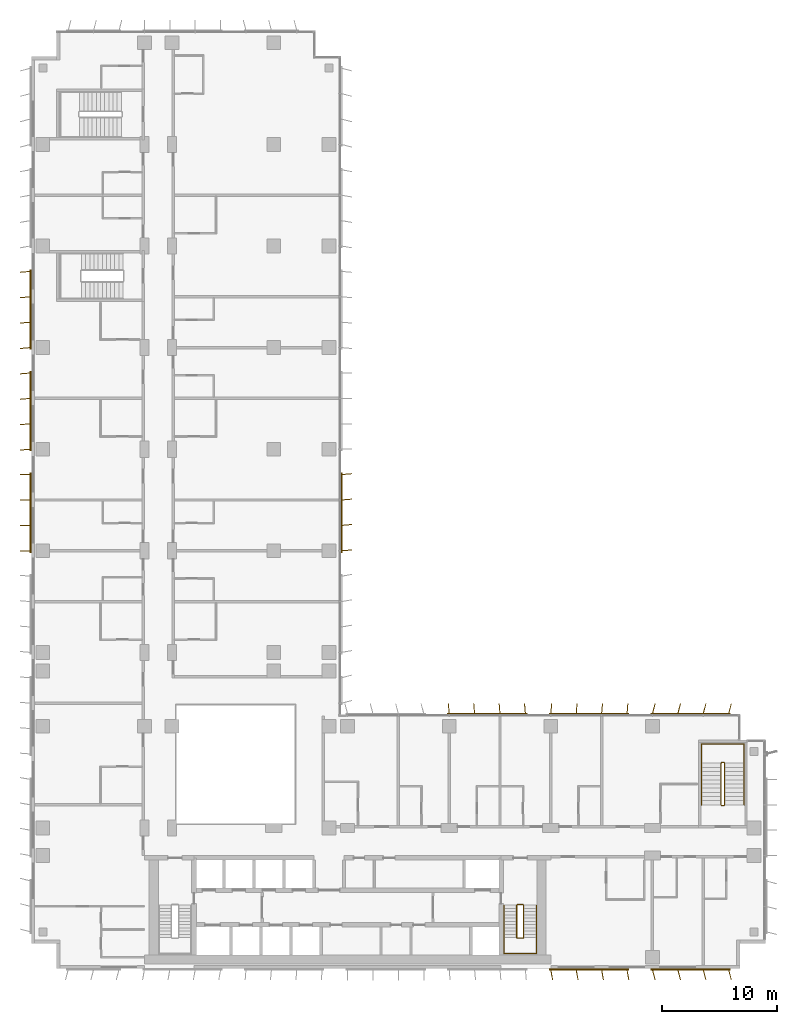
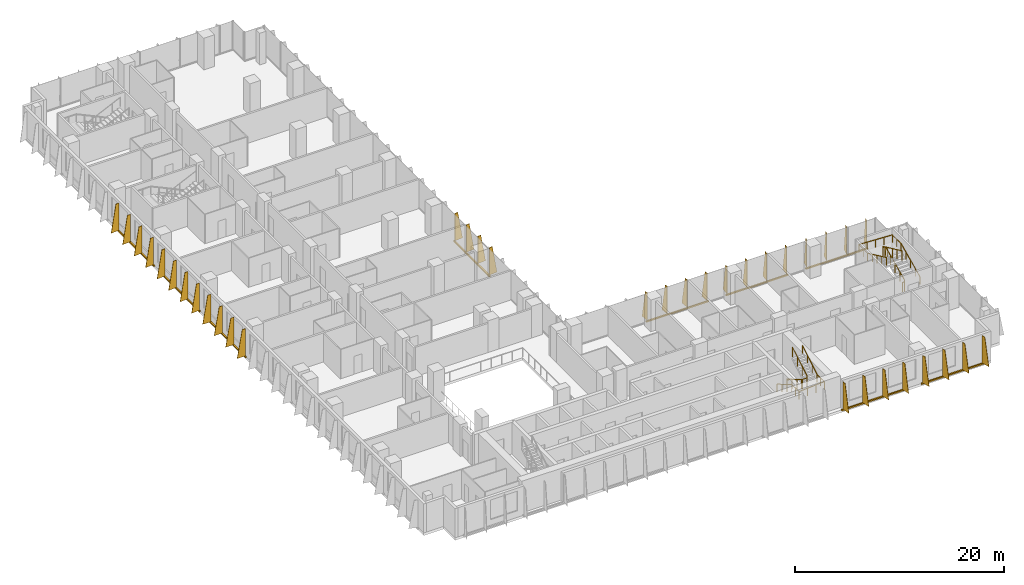
# One storey, part 21 of 23: 9 shading devices, 4 railings.
"""IFC4 building model written with IfcOpenShell, lengths in metres."""

from ifc_helpers import new_model, si_unit, direction, frame, origin, origin_2d, place, context, subcontext, project, spatial, polyline, rectangle, circle, outline, extrude, source, transform, mapped, material, layer, layer_set, type_object, element, save


model = new_model("IFC4")

# Units and contexts
model_context = context("Model", 3, precision=1e-05, world=origin(), true_north=direction((0.0, 1.0)))
body_context = subcontext(model_context, "Body", "Model", "MODEL_VIEW")
ifc_project = project(units=[si_unit("LENGTHUNIT", "METRE"), si_unit("AREAUNIT", "SQUARE_METRE"), si_unit("VOLUMEUNIT", "CUBIC_METRE"), si_unit("PLANEANGLEUNIT", "RADIAN"), si_unit("MASSUNIT", "GRAM", prefix="KILO")], contexts=[model_context])

# Site, building, storey
site_placement = place(None, origin())
site = spatial("IfcSite", under=ifc_project, at=site_placement, CompositionType="ELEMENT")
building_placement = place(site_placement, origin())
building = spatial("IfcBuilding", under=site, at=building_placement, Name="Kemantara Hotel Tower", CompositionType="ELEMENT")
storey_placement = place(building_placement, frame((0.0, 0.0, 142.0)))
storey = spatial("IfcBuildingStorey", under=building, at=storey_placement, Name="L34", CompositionType="ELEMENT", Elevation=142.0)

# Railings
ifc_material_1 = material(Name="Stainless steel balustrade", Category="steel")
railing_type_1 = type_object("IfcRailingType", Name="Stair guard 1100 mm", PredefinedType="GUARDRAIL", material=ifc_material_1)
railing_1_placement = place(storey_placement, frame((42.64990234375, 5.5, 3.699951171875)))
element("IfcRailing", 1, at=railing_1_placement, inside=storey, type_object=railing_type_1, Name="L34 ST2 stair guard 1", PredefinedType="GUARDRAIL", context=body_context, shape_type="SweptSolid", body=[
    extrude(circle(Radius=0.02392578125, at=origin_2d()), frame((0.0, 0.0, 1.076171875), z_axis=(0.0, -0.857242210791, -0.514913383045), x_axis=(1.0, 0.0, 0.0)), (0.0, 0.0, 1.0), 3.266357421875),
    extrude(circle(Radius=0.02392578125, at=origin_2d()), frame((0.0, -2.800048828125, -0.60595703125), z_axis=(-0.273343290215, -0.274683208305, -0.921863645432), x_axis=(0.708833529934, -0.705375805398, 0.0)), (0.0, 0.0, 1.0), 0.18212890625),
    extrude(circle(Radius=0.02392578125, at=origin_2d()), frame((-0.0498046875, -2.85009765625, -0.77392578125), z_axis=(-1.0, 0.0, 0.0), x_axis=(0.0, -1.0, 0.0)), (0.0, 0.0, 1.0), 0.5),
    extrude(circle(Radius=0.02392578125, at=origin_2d()), frame((-0.5498046875, -2.85009765625, -0.77392578125), z_axis=(-0.707106781187, 0.707106781187, 0.0), x_axis=(-0.707106781187, -0.707106781187, 0.0)), (0.0, 0.0, 1.0), 0.07080078125),
    extrude(circle(Radius=0.02392578125, at=origin_2d()), frame((-0.599853515625, -2.800048828125, -0.77392578125), z_axis=(0.0, 0.857242210791, -0.514913383045), x_axis=(-1.0, 0.0, 0.0)), (0.0, 0.0, 1.0), 3.266357421875),
    extrude(circle(Radius=0.02392578125, at=origin_2d()), frame((-0.599853515625, 0.0, -2.45556640625), z_axis=(0.274243871929, 0.274243871929, -0.92172696468), x_axis=(-0.707106781187, 0.707106781187, 0.0)), (0.0, 0.0, 1.0), 0.1826171875),
    extrude(circle(Radius=0.02392578125, at=origin_2d()), frame((-0.5498046875, 0.050048828125, -2.6240234375), z_axis=(1.0, 0.0, 0.0), x_axis=(0.0, 1.0, 0.0)), (0.0, 0.0, 1.0), 0.5),
    extrude(circle(Radius=0.02099609375, at=origin_2d()), origin(), (0.0, 0.0, 1.0), 1.052001953125),
    extrude(circle(Radius=0.02099609375, at=origin_2d()), frame((0.0, -0.933349609375, -0.560546875)), (0.0, 0.0, 1.0), 1.052001953125),
    extrude(circle(Radius=0.02099609375, at=origin_2d()), frame((0.0, -1.86669921875, -1.121337890625)), (0.0, 0.0, 1.0), 1.052001953125),
    extrude(circle(Radius=0.02099609375, at=origin_2d()), frame((0.0, -2.800048828125, -1.681884765625)), (0.0, 0.0, 1.0), 1.052001953125),
    extrude(circle(Radius=0.02099609375, at=origin_2d()), frame((-0.0498046875, -2.85009765625, -1.849853515625)), (0.0, 0.0, 1.0), 1.052001953125),
    extrude(circle(Radius=0.02099609375, at=origin_2d()), frame((-0.5498046875, -2.85009765625, -1.849853515625)), (0.0, 0.0, 1.0), 1.052001953125),
    extrude(circle(Radius=0.02099609375, at=origin_2d()), frame((-0.599853515625, -2.800048828125, -1.849853515625)), (0.0, 0.0, 1.0), 1.052001953125),
    extrude(circle(Radius=0.02099609375, at=origin_2d()), frame((-0.599853515625, -1.86669921875, -2.410400390625)), (0.0, 0.0, 1.0), 1.052001953125),
    extrude(circle(Radius=0.02099609375, at=origin_2d()), frame((-0.599853515625, -0.933349609375, -2.97119140625)), (0.0, 0.0, 1.0), 1.052001953125),
    extrude(circle(Radius=0.02099609375, at=origin_2d()), frame((-0.599853515625, 0.0, -3.53173828125)), (0.0, 0.0, 1.0), 1.052001953125),
    extrude(circle(Radius=0.02099609375, at=origin_2d()), frame((-0.5498046875, 0.050048828125, -3.699951171875)), (0.0, 0.0, 1.0), 1.052001953125),
    extrude(circle(Radius=0.02099609375, at=origin_2d()), frame((-0.0498046875, 0.050048828125, -3.699951171875)), (0.0, 0.0, 1.0), 1.052001953125),
])
railing_2_placement = place(storey_placement, frame((59.75, 14.199951171875, 3.699951171875)))
element("IfcRailing", 2, at=railing_2_placement, inside=storey, type_object=railing_type_1, Name="L34 ST3 stair guard 1", PredefinedType="GUARDRAIL", context=body_context, shape_type="SweptSolid", body=[
    extrude(circle(Radius=0.02392578125, at=origin_2d()), frame((0.0, 0.0, 1.076171875), z_axis=(0.0, 0.906005689286, -0.423265508849), x_axis=(-1.0, 0.0, 0.0)), (0.0, 0.0, 1.0), 3.9736328125),
    extrude(circle(Radius=0.02392578125, at=origin_2d()), frame((0.0, 3.60009765625, -0.60595703125), z_axis=(0.274582412415, 0.274582412415, -0.921525364591), x_axis=(-0.707106781187, 0.707106781187, 0.0)), (0.0, 0.0, 1.0), 0.182373046875),
    extrude(circle(Radius=0.02392578125, at=origin_2d()), frame((0.050048828125, 3.650146484375, -0.77392578125), z_axis=(1.0, 0.0, 0.0), x_axis=(0.0, 1.0, 0.0)), (0.0, 0.0, 1.0), 0.199951171875),
    extrude(circle(Radius=0.02392578125, at=origin_2d()), frame((0.25, 3.650146484375, -0.77392578125), z_axis=(0.707106781187, -0.707106781187, 0.0), x_axis=(0.707106781187, 0.707106781187, 0.0)), (0.0, 0.0, 1.0), 0.07080078125),
    extrude(circle(Radius=0.02392578125, at=origin_2d()), frame((0.300048828125, 3.60009765625, -0.77392578125), z_axis=(0.0, -0.906005689286, -0.423265508849), x_axis=(1.0, 0.0, 0.0)), (0.0, 0.0, 1.0), 3.9736328125),
    extrude(circle(Radius=0.02392578125, at=origin_2d()), frame((0.300048828125, 0.0, -2.45556640625), z_axis=(-0.274243871929, -0.274243871929, -0.92172696468), x_axis=(0.707106781187, -0.707106781187, 0.0)), (0.0, 0.0, 1.0), 0.1826171875),
    extrude(circle(Radius=0.02392578125, at=origin_2d()), frame((0.25, -0.050048828125, -2.6240234375), z_axis=(-1.0, 0.0, 0.0), x_axis=(0.0, -1.0, 0.0)), (0.0, 0.0, 1.0), 0.199951171875),
    extrude(circle(Radius=0.02099609375, at=origin_2d()), origin(), (0.0, 0.0, 1.0), 1.052001953125),
    extrude(circle(Radius=0.02099609375, at=origin_2d()), frame((0.0, 0.89990234375, -0.42041015625)), (0.0, 0.0, 1.0), 1.052001953125),
    extrude(circle(Radius=0.02099609375, at=origin_2d()), frame((0.0, 1.800048828125, -0.8408203125)), (0.0, 0.0, 1.0), 1.052001953125),
    extrude(circle(Radius=0.02099609375, at=origin_2d()), frame((0.0, 2.7001953125, -1.261474609375)), (0.0, 0.0, 1.0), 1.052001953125),
    extrude(circle(Radius=0.02099609375, at=origin_2d()), frame((0.0, 3.60009765625, -1.681884765625)), (0.0, 0.0, 1.0), 1.052001953125),
    extrude(circle(Radius=0.02099609375, at=origin_2d()), frame((0.050048828125, 3.650146484375, -1.849853515625)), (0.0, 0.0, 1.0), 1.052001953125),
    extrude(circle(Radius=0.02099609375, at=origin_2d()), frame((0.25, 3.650146484375, -1.849853515625)), (0.0, 0.0, 1.0), 1.052001953125),
    extrude(circle(Radius=0.02099609375, at=origin_2d()), frame((0.300048828125, 3.60009765625, -1.849853515625)), (0.0, 0.0, 1.0), 1.052001953125),
    extrude(circle(Radius=0.02099609375, at=origin_2d()), frame((0.300048828125, 2.7001953125, -2.270263671875)), (0.0, 0.0, 1.0), 1.052001953125),
    extrude(circle(Radius=0.02099609375, at=origin_2d()), frame((0.300048828125, 1.800048828125, -2.69091796875)), (0.0, 0.0, 1.0), 1.052001953125),
    extrude(circle(Radius=0.02099609375, at=origin_2d()), frame((0.300048828125, 0.89990234375, -3.111328125)), (0.0, 0.0, 1.0), 1.052001953125),
    extrude(circle(Radius=0.02099609375, at=origin_2d()), frame((0.300048828125, 0.0, -3.53173828125)), (0.0, 0.0, 1.0), 1.052001953125),
    extrude(circle(Radius=0.02099609375, at=origin_2d()), frame((0.25, -0.050048828125, -3.699951171875)), (0.0, 0.0, 1.0), 1.052001953125),
    extrude(circle(Radius=0.02099609375, at=origin_2d()), frame((0.050048828125, -0.050048828125, -3.699951171875)), (0.0, 0.0, 1.0), 1.052001953125),
])
railing_type_2 = type_object("IfcRailingType", Name="Stair handrail 900 mm", PredefinedType="HANDRAIL", material=ifc_material_1)
railing_3_placement = place(storey_placement, frame((40.949951171875, 5.5, 0.168212890625)))
element("IfcRailing", 3, at=railing_3_placement, inside=storey, type_object=railing_type_2, Name="L34 ST2 stair handrail 1", PredefinedType="HANDRAIL", context=body_context, shape_type="SweptSolid", body=[
    extrude(circle(Radius=0.02392578125, at=origin_2d()), frame((0.0, 0.0, 0.8759765625), z_axis=(0.0, -0.857242210791, 0.514913383045), x_axis=(1.0, 0.0, 0.0)), (0.0, 0.0, 1.0), 3.266357421875),
    extrude(circle(Radius=0.02392578125, at=origin_2d()), frame((0.0, -2.800048828125, 2.5576171875), z_axis=(0.0, -1.0, 0.0), x_axis=(1.0, 0.0, 0.0)), (0.0, 0.0, 1.0), 1.3798828125),
    extrude(circle(Radius=0.02392578125, at=origin_2d()), frame((0.0, -4.179931640625, 2.5576171875), z_axis=(0.998205573864, 0.0, 0.059880149518), x_axis=(0.0, 1.0, 0.0)), (0.0, 0.0, 1.0), 2.80517578125),
    extrude(circle(Radius=0.02392578125, at=origin_2d()), frame((2.800048828125, -4.179931640625, 2.7255859375), z_axis=(0.0, 1.0, 0.0), x_axis=(-1.0, 0.0, 0.0)), (0.0, 0.0, 1.0), 1.3798828125),
    extrude(circle(Radius=0.02392578125, at=origin_2d()), frame((2.800048828125, -2.800048828125, 2.7255859375), z_axis=(0.0, 0.857242210791, 0.514913383045), x_axis=(-1.0, 0.0, 0.0)), (0.0, 0.0, 1.0), 3.266357421875),
    extrude(circle(Radius=0.02099609375, at=origin_2d()), origin(), (0.0, 0.0, 1.0), 0.851806640625),
    extrude(circle(Radius=0.02099609375, at=origin_2d()), frame((0.0, -0.933349609375, 0.560546875)), (0.0, 0.0, 1.0), 0.851806640625),
    extrude(circle(Radius=0.02099609375, at=origin_2d()), frame((0.0, -1.86669921875, 1.121337890625)), (0.0, 0.0, 1.0), 0.851806640625),
    extrude(circle(Radius=0.02099609375, at=origin_2d()), frame((0.0, -2.800048828125, 1.681884765625)), (0.0, 0.0, 1.0), 0.851806640625),
    extrude(circle(Radius=0.02099609375, at=origin_2d()), frame((0.0, -3.489990234375, 1.681884765625)), (0.0, 0.0, 1.0), 0.851806640625),
    extrude(circle(Radius=0.02099609375, at=origin_2d()), frame((0.0, -4.179931640625, 1.681884765625)), (0.0, 0.0, 1.0), 0.851806640625),
    extrude(circle(Radius=0.02099609375, at=origin_2d()), frame((0.933349609375, -4.179931640625, 1.73779296875)), (0.0, 0.0, 1.0), 0.851806640625),
    extrude(circle(Radius=0.02099609375, at=origin_2d()), frame((1.86669921875, -4.179931640625, 1.7939453125)), (0.0, 0.0, 1.0), 0.851806640625),
    extrude(circle(Radius=0.02099609375, at=origin_2d()), frame((2.800048828125, -4.179931640625, 1.849853515625)), (0.0, 0.0, 1.0), 0.851806640625),
    extrude(circle(Radius=0.02099609375, at=origin_2d()), frame((2.800048828125, -3.489990234375, 1.849853515625)), (0.0, 0.0, 1.0), 0.851806640625),
    extrude(circle(Radius=0.02099609375, at=origin_2d()), frame((2.800048828125, -2.800048828125, 1.849853515625)), (0.0, 0.0, 1.0), 0.851806640625),
    extrude(circle(Radius=0.02099609375, at=origin_2d()), frame((2.800048828125, -1.86669921875, 2.410400390625)), (0.0, 0.0, 1.0), 0.851806640625),
    extrude(circle(Radius=0.02099609375, at=origin_2d()), frame((2.800048828125, -0.933349609375, 2.97119140625)), (0.0, 0.0, 1.0), 0.851806640625),
    extrude(circle(Radius=0.02099609375, at=origin_2d()), frame((2.800048828125, 0.0, 3.53173828125)), (0.0, 0.0, 1.0), 0.851806640625),
])
railing_4_placement = place(storey_placement, frame((61.75, 14.199951171875, 0.168212890625)))
element("IfcRailing", 4, at=railing_4_placement, inside=storey, type_object=railing_type_2, Name="L34 ST3 stair handrail 1", PredefinedType="HANDRAIL", context=body_context, shape_type="SweptSolid", body=[
    extrude(circle(Radius=0.02392578125, at=origin_2d()), frame((0.0, 0.0, 0.8759765625), z_axis=(0.0, 0.906005689286, 0.423265508849), x_axis=(-1.0, 0.0, 0.0)), (0.0, 0.0, 1.0), 3.9736328125),
    extrude(circle(Radius=0.02392578125, at=origin_2d()), frame((0.0, 3.60009765625, 2.5576171875), z_axis=(0.0, 1.0, 0.0), x_axis=(-1.0, 0.0, 0.0)), (0.0, 0.0, 1.0), 1.679931640625),
    extrude(circle(Radius=0.02392578125, at=origin_2d()), frame((0.0, 5.280029296875, 2.5576171875), z_axis=(-0.998971120908, 0.0, 0.045350849963), x_axis=(0.0, -1.0, 0.0)), (0.0, 0.0, 1.0), 3.703857421875),
    extrude(circle(Radius=0.02392578125, at=origin_2d()), frame((-3.699951171875, 5.280029296875, 2.7255859375), z_axis=(0.0, -1.0, 0.0), x_axis=(1.0, 0.0, 0.0)), (0.0, 0.0, 1.0), 1.679931640625),
    extrude(circle(Radius=0.02392578125, at=origin_2d()), frame((-3.699951171875, 3.60009765625, 2.7255859375), z_axis=(0.0, -0.906005689286, 0.423265508849), x_axis=(1.0, 0.0, 0.0)), (0.0, 0.0, 1.0), 3.9736328125),
    extrude(circle(Radius=0.02099609375, at=origin_2d()), origin(), (0.0, 0.0, 1.0), 0.851806640625),
    extrude(circle(Radius=0.02099609375, at=origin_2d()), frame((0.0, 0.89990234375, 0.42041015625)), (0.0, 0.0, 1.0), 0.851806640625),
    extrude(circle(Radius=0.02099609375, at=origin_2d()), frame((0.0, 1.800048828125, 0.8408203125)), (0.0, 0.0, 1.0), 0.851806640625),
    extrude(circle(Radius=0.02099609375, at=origin_2d()), frame((0.0, 2.7001953125, 1.261474609375)), (0.0, 0.0, 1.0), 0.851806640625),
    extrude(circle(Radius=0.02099609375, at=origin_2d()), frame((0.0, 3.60009765625, 1.681884765625)), (0.0, 0.0, 1.0), 0.851806640625),
    extrude(circle(Radius=0.02099609375, at=origin_2d()), frame((0.0, 4.43994140625, 1.681884765625)), (0.0, 0.0, 1.0), 0.851806640625),
    extrude(circle(Radius=0.02099609375, at=origin_2d()), frame((0.0, 5.280029296875, 1.681884765625)), (0.0, 0.0, 1.0), 0.851806640625),
    extrude(circle(Radius=0.02099609375, at=origin_2d()), frame((-0.925048828125, 5.280029296875, 1.723876953125)), (0.0, 0.0, 1.0), 0.851806640625),
    extrude(circle(Radius=0.02099609375, at=origin_2d()), frame((-1.85009765625, 5.280029296875, 1.765869140625)), (0.0, 0.0, 1.0), 0.851806640625),
    extrude(circle(Radius=0.02099609375, at=origin_2d()), frame((-2.77490234375, 5.280029296875, 1.807861328125)), (0.0, 0.0, 1.0), 0.851806640625),
    extrude(circle(Radius=0.02099609375, at=origin_2d()), frame((-3.699951171875, 5.280029296875, 1.849853515625)), (0.0, 0.0, 1.0), 0.851806640625),
    extrude(circle(Radius=0.02099609375, at=origin_2d()), frame((-3.699951171875, 4.43994140625, 1.849853515625)), (0.0, 0.0, 1.0), 0.851806640625),
    extrude(circle(Radius=0.02099609375, at=origin_2d()), frame((-3.699951171875, 3.60009765625, 1.849853515625)), (0.0, 0.0, 1.0), 0.851806640625),
    extrude(circle(Radius=0.02099609375, at=origin_2d()), frame((-3.699951171875, 2.7001953125, 2.270263671875)), (0.0, 0.0, 1.0), 0.851806640625),
    extrude(circle(Radius=0.02099609375, at=origin_2d()), frame((-3.699951171875, 1.800048828125, 2.69091796875)), (0.0, 0.0, 1.0), 0.851806640625),
    extrude(circle(Radius=0.02099609375, at=origin_2d()), frame((-3.699951171875, 0.89990234375, 3.111328125)), (0.0, 0.0, 1.0), 0.851806640625),
    extrude(circle(Radius=0.02099609375, at=origin_2d()), frame((-3.699951171875, 0.0, 3.53173828125)), (0.0, 0.0, 1.0), 0.851806640625),
])

# Shading devices
ifc_material_2 = material(Name="Perforated aluminium plate 4 mm bronze anodised", Category="aluminium")
ifc_layer_1 = layer(ifc_material_2, 0.0400390625)
ifc_layer_set_1 = layer_set([ifc_layer_1], Name="Perforated aluminium plate 4 mm bronze anodised")
shading_device_type_1 = type_object("IfcShadingDeviceType", Name="SCREEN FIN CASSETTE, 4 BLADES AT -5.0 DEG, 3200 HIGH", PredefinedType="USERDEFINED", material=ifc_layer_set_1)
shared_shape_1 = source(origin(), body_context, "Body", "SweptSolid", [
    extrude(rectangle(XDim=6.89990234375, YDim=0.14990234375, at=origin_2d()), frame((3.300048828125, -0.074951171875, -0.14990234375), z_axis=(0.0, 0.0, 1.0), x_axis=(1.0, 0.0, 0.0)), (0.0, 0.0, 1.0), 0.14990234375),
    extrude(outline(polyline([(0.0, 0.0), (0.89990234375, 0.0), (0.35009765625, 3.199951171875), (0.0, 3.199951171875), (0.0, 0.0)])), frame((0.02001953125, -0.07666015625, 0.0), z_axis=(-0.996376129781, 0.085056498884, 0.0), x_axis=(-0.085056498884, -0.996376129781, 0.0)), (0.0, 0.0, 1.0), 0.040283203125),
    extrude(outline(polyline([(0.0, 0.0), (0.89990234375, 0.0), (0.35009765625, 3.199951171875), (0.0, 3.199951171875), (0.0, 0.0)])), frame((2.219970703125, -0.07666015625, 0.0), z_axis=(-0.996331773833, 0.085574508182, 0.0), x_axis=(-0.085574508182, -0.996331773833, 0.0)), (0.0, 0.0, 1.0), 0.0400390625),
    extrude(outline(polyline([(0.0, 0.0), (0.89990234375, 0.0), (0.35009765625, 3.199951171875), (0.0, 3.199951171875), (0.0, 0.0)])), frame((4.419921875, -0.07666015625, 0.0), z_axis=(-0.996331773833, 0.085574508182, 0.0), x_axis=(-0.085574508182, -0.996331773833, 0.0)), (0.0, 0.0, 1.0), 0.0400390625),
    extrude(outline(polyline([(0.0, 0.0), (0.89990234375, 0.0), (0.35009765625, 3.199951171875), (0.0, 3.199951171875), (0.0, 0.0)])), frame((6.619873046875, -0.07666015625, 0.0), z_axis=(-0.996331773833, 0.085574508182, 0.0), x_axis=(-0.085574508182, -0.996331773833, 0.0)), (0.0, 0.0, 1.0), 0.0400390625),
])
shading_device_1_placement = place(storey_placement, frame((51.60009765625, 22.0, 0.10009765625), z_axis=(0.0, 0.0, 1.0), x_axis=(-1.0, 0.0, 0.0)))
element("IfcShadingDevice", 5, at=shading_device_1_placement, inside=storey, type_object=shading_device_type_1, Name="SCREEN FIN CASSETTE L34 T2-R13-2", ObjectType="SCREEN FIN", PredefinedType="USERDEFINED", context=body_context, shape_type="MappedRepresentation", body=[
    mapped(shared_shape_1, transform((0.0, 0.0, 0.0))),
])
ifc_layer_2 = layer(ifc_material_2, 0.0400390625)
ifc_layer_set_2 = layer_set([ifc_layer_2], Name="Perforated aluminium plate 4 mm bronze anodised")
shading_device_type_2 = type_object("IfcShadingDeviceType", Name="SCREEN FIN CASSETTE, 4 BLADES AT +0.0 DEG, 3200 HIGH", PredefinedType="USERDEFINED", material=ifc_layer_set_2)
shared_shape_2 = source(origin(), body_context, "Body", "SweptSolid", [
    extrude(rectangle(XDim=6.89990234375, YDim=0.14990234375, at=origin_2d()), frame((3.300048828125, -0.074951171875, -0.14990234375), z_axis=(0.0, 0.0, 1.0), x_axis=(1.0, 0.0, 0.0)), (0.0, 0.0, 1.0), 0.14990234375),
    extrude(outline(polyline([(0.0, 0.0), (0.89990234375, 0.0), (0.35009765625, 3.199951171875), (0.0, 3.199951171875), (0.0, 0.0)])), frame((0.02001953125, -0.074951171875, 0.0), z_axis=(-1.0, 0.0, 0.0), x_axis=(0.0, -1.0, 0.0)), (0.0, 0.0, 1.0), 0.0400390625),
    extrude(outline(polyline([(0.0, 0.0), (0.89990234375, 0.0), (0.35009765625, 3.199951171875), (0.0, 3.199951171875), (0.0, 0.0)])), frame((2.219970703125, -0.074951171875, 0.0), z_axis=(-1.0, 0.0, 0.0), x_axis=(0.0, -1.0, 0.0)), (0.0, 0.0, 1.0), 0.0400390625),
    extrude(outline(polyline([(0.0, 0.0), (0.89990234375, 0.0), (0.35009765625, 3.199951171875), (0.0, 3.199951171875), (0.0, 0.0)])), frame((4.419921875, -0.074951171875, 0.0), z_axis=(-1.0, 0.0, 0.0), x_axis=(0.0, -1.0, 0.0)), (0.0, 0.0, 1.0), 0.0400390625),
    extrude(outline(polyline([(0.0, 0.0), (0.89990234375, 0.0), (0.35009765625, 3.199951171875), (0.0, 3.199951171875), (0.0, 0.0)])), frame((6.6201171875, -0.074951171875, 0.0), z_axis=(-1.0, 0.0, 0.0), x_axis=(0.0, -1.0, 0.0)), (0.0, 0.0, 1.0), 0.0400390625),
])
shading_device_2_placement = place(storey_placement, frame((0.0, 42.800048828125, 0.10009765625), z_axis=(0.0, 0.0, 1.0), x_axis=(0.0, -1.0, 0.0)))
element("IfcShadingDevice", 6, at=shading_device_2_placement, inside=storey, type_object=shading_device_type_2, Name="SCREEN FIN CASSETTE L34 T2-R04-5", ObjectType="SCREEN FIN", PredefinedType="USERDEFINED", context=body_context, shape_type="MappedRepresentation", body=[
    mapped(shared_shape_2, transform((0.0, 0.0, 0.0))),
])
ifc_layer_3 = layer(ifc_material_2, 0.0400390625)
ifc_layer_set_3 = layer_set([ifc_layer_3], Name="Perforated aluminium plate 4 mm bronze anodised")
shading_device_type_3 = type_object("IfcShadingDeviceType", Name="SCREEN FIN CASSETTE, 4 BLADES AT +5.0 DEG, 3200 HIGH", PredefinedType="USERDEFINED", material=ifc_layer_set_3)
shared_shape_3 = source(origin(), body_context, "Body", "SweptSolid", [
    extrude(rectangle(XDim=6.89990234375, YDim=0.14990234375, at=origin_2d()), frame((3.300048828125, -0.074951171875, -0.14990234375), z_axis=(0.0, 0.0, 1.0), x_axis=(1.0, 0.0, 0.0)), (0.0, 0.0, 1.0), 0.14990234375),
    extrude(outline(polyline([(0.0, 0.0), (0.89990234375, 0.0), (0.35009765625, 3.199951171875), (0.0, 3.199951171875), (0.0, 0.0)])), frame((0.02001953125, -0.0732421875, 0.0), z_axis=(-0.996376129781, -0.085056498884, 0.0), x_axis=(0.085056498884, -0.996376129781, 0.0)), (0.0, 0.0, 1.0), 0.040283203125),
    extrude(outline(polyline([(0.0, 0.0), (0.89990234375, 0.0), (0.35009765625, 3.199951171875), (0.0, 3.199951171875), (0.0, 0.0)])), frame((2.219970703125, -0.0732421875, 0.0), z_axis=(-0.996331773833, -0.085574508182, 0.0), x_axis=(0.085574508182, -0.996331773833, 0.0)), (0.0, 0.0, 1.0), 0.0400390625),
    extrude(outline(polyline([(0.0, 0.0), (0.89990234375, 0.0), (0.35009765625, 3.199951171875), (0.0, 3.199951171875), (0.0, 0.0)])), frame((4.419921875, -0.0732421875, 0.0), z_axis=(-0.996331773833, -0.085574508182, 0.0), x_axis=(0.085574508182, -0.996331773833, 0.0)), (0.0, 0.0, 1.0), 0.0400390625),
    extrude(outline(polyline([(0.0, 0.0), (0.89990234375, 0.0), (0.35009765625, 3.199951171875), (0.0, 3.199951171875), (0.0, 0.0)])), frame((6.619873046875, -0.0732421875, 0.0), z_axis=(-0.996331773833, -0.085574508182, 0.0), x_axis=(0.085574508182, -0.996331773833, 0.0)), (0.0, 0.0, 1.0), 0.0400390625),
])
for number, where, z_axis, x_axis, name in (
    (7, (0.0, 60.39990234375, 0.10009765625), (0.0, 0.0, 1.0), (0.0, -1.0, 0.0), "SCREEN FIN CASSETTE L34 T2-R04-3"),
    (8, (0.0, 51.60009765625, 0.10009765625), (0.0, 0.0, 1.0), (0.0, -1.0, 0.0), "SCREEN FIN CASSETTE L34 T2-R04-4"),
    (9, (42.800048828125, 22.0, 0.10009765625), (0.0, 0.0, 1.0), (-1.0, 0.0, 0.0), "SCREEN FIN CASSETTE L34 T2-R13-3"),
    (10, (26.800048828125, 36.199951171875, 0.10009765625), (0.0, 0.0, 1.0), (0.0, 1.0, 0.0), "SCREEN FIN CASSETTE L34 T2-R14-3"),
):
    element("IfcShadingDevice", number, at=place(storey_placement, frame(where, z_axis=z_axis, x_axis=x_axis)), inside=storey, type_object=shading_device_type_3, Name=name, ObjectType="SCREEN FIN", PredefinedType="USERDEFINED", context=body_context, shape_type="MappedRepresentation", body=[
        mapped(shared_shape_3, transform((0.0, 0.0, 0.0))),
    ])
ifc_layer_4 = layer(ifc_material_2, 0.0400390625)
ifc_layer_set_4 = layer_set([ifc_layer_4], Name="Perforated aluminium plate 4 mm bronze anodised")
shading_device_type_4 = type_object("IfcShadingDeviceType", Name="SCREEN FIN CASSETTE, 4 BLADES AT +10.0 DEG, 3200 HIGH", PredefinedType="USERDEFINED", material=ifc_layer_set_4)
shared_shape_4 = source(origin(), body_context, "Body", "SweptSolid", [
    extrude(rectangle(XDim=6.89990234375, YDim=0.14990234375, at=origin_2d()), frame((3.300048828125, -0.074951171875, -0.14990234375), z_axis=(0.0, 0.0, 1.0), x_axis=(1.0, 0.0, 0.0)), (0.0, 0.0, 1.0), 0.14990234375),
    extrude(outline(polyline([(0.0, 0.0), (0.89990234375, 0.0), (0.35009765625, 3.199951171875), (0.0, 3.199951171875), (0.0, 0.0)])), frame((0.019775390625, -0.071533203125, 0.0), z_axis=(-0.985389793052, -0.170314285219, 0.0), x_axis=(0.170314285219, -0.985389793052, 0.0)), (0.0, 0.0, 1.0), 0.0400390625),
    extrude(outline(polyline([(0.0, 0.0), (0.89990234375, 0.0), (0.35009765625, 3.199951171875), (0.0, 3.199951171875), (0.0, 0.0)])), frame((2.2197265625, -0.071533203125, 0.0), z_axis=(-0.98521175482, -0.171341174751, 0.0), x_axis=(0.171341174751, -0.98521175482, 0.0)), (0.0, 0.0, 1.0), 0.039794921875),
    extrude(outline(polyline([(0.0, 0.0), (0.89990234375, 0.0), (0.35009765625, 3.199951171875), (0.0, 3.199951171875), (0.0, 0.0)])), frame((4.419677734375, -0.071533203125, 0.0), z_axis=(-0.98521175482, -0.171341174751, 0.0), x_axis=(0.171341174751, -0.98521175482, 0.0)), (0.0, 0.0, 1.0), 0.039794921875),
    extrude(outline(polyline([(0.0, 0.0), (0.89990234375, 0.0), (0.35009765625, 3.199951171875), (0.0, 3.199951171875), (0.0, 0.0)])), frame((6.61962890625, -0.071533203125, 0.0), z_axis=(-0.98521175482, -0.171341174751, 0.0), x_axis=(0.171341174751, -0.98521175482, 0.0)), (0.0, 0.0, 1.0), 0.039794921875),
])
shading_device_3_placement = place(storey_placement, frame((45.0, 0.0, 0.10009765625), z_axis=(0.0, 0.0, 1.0), x_axis=(1.0, 0.0, 0.0)))
element("IfcShadingDevice", 11, at=shading_device_3_placement, inside=storey, type_object=shading_device_type_4, Name="SCREEN FIN CASSETTE L34 T2-R07-6", ObjectType="SCREEN FIN", PredefinedType="USERDEFINED", context=body_context, shape_type="MappedRepresentation", body=[
    mapped(shared_shape_4, transform((0.0, 0.0, 0.0))),
])
ifc_layer_5 = layer(ifc_material_2, 0.0400390625)
ifc_layer_set_5 = layer_set([ifc_layer_5], Name="Perforated aluminium plate 4 mm bronze anodised")
shading_device_type_5 = type_object("IfcShadingDeviceType", Name="SCREEN FIN CASSETTE, 4 BLADES AT +15.0 DEG, 3200 HIGH", PredefinedType="USERDEFINED", material=ifc_layer_set_5)
shared_shape_5 = source(origin(), body_context, "Body", "SweptSolid", [
    extrude(rectangle(XDim=6.89990234375, YDim=0.14990234375, at=origin_2d()), frame((3.300048828125, -0.074951171875, -0.14990234375), z_axis=(0.0, 0.0, 1.0), x_axis=(1.0, 0.0, 0.0)), (0.0, 0.0, 1.0), 0.14990234375),
    extrude(outline(polyline([(0.0, 0.0), (0.89990234375, 0.0), (0.35009765625, 3.199951171875), (0.0, 3.199951171875), (0.0, 0.0)])), frame((0.019287109375, -0.06982421875, 0.0), z_axis=(-0.966437683387, -0.256901156343, 0.0), x_axis=(0.256901156343, -0.966437683387, 0.0)), (0.0, 0.0, 1.0), 0.039794921875),
    extrude(outline(polyline([(0.0, 0.0), (0.89990234375, 0.0), (0.35009765625, 3.199951171875), (0.0, 3.199951171875), (0.0, 0.0)])), frame((2.21923828125, -0.06982421875, 0.0), z_axis=(-0.966437683387, -0.256901156343, 0.0), x_axis=(0.256901156343, -0.966437683387, 0.0)), (0.0, 0.0, 1.0), 0.039794921875),
    extrude(outline(polyline([(0.0, 0.0), (0.89990234375, 0.0), (0.35009765625, 3.199951171875), (0.0, 3.199951171875), (0.0, 0.0)])), frame((4.41943359375, -0.06982421875, 0.0), z_axis=(-0.966837822169, -0.255391122837, 0.0), x_axis=(0.255391122837, -0.966837822169, 0.0)), (0.0, 0.0, 1.0), 0.0400390625),
    extrude(outline(polyline([(0.0, 0.0), (0.89990234375, 0.0), (0.35009765625, 3.199951171875), (0.0, 3.199951171875), (0.0, 0.0)])), frame((6.619384765625, -0.06982421875, 0.0), z_axis=(-0.966837822169, -0.255391122837, 0.0), x_axis=(0.255391122837, -0.966837822169, 0.0)), (0.0, 0.0, 1.0), 0.0400390625),
])
shading_device_4_placement = place(storey_placement, frame((53.800048828125, 0.0, 0.10009765625), z_axis=(0.0, 0.0, 1.0), x_axis=(1.0, 0.0, 0.0)))
element("IfcShadingDevice", 12, at=shading_device_4_placement, inside=storey, type_object=shading_device_type_5, Name="SCREEN FIN CASSETTE L34 T2-R07-7", ObjectType="SCREEN FIN", PredefinedType="USERDEFINED", context=body_context, shape_type="MappedRepresentation", body=[
    mapped(shared_shape_5, transform((0.0, 0.0, 0.0))),
])
ifc_layer_6 = layer(ifc_material_2, 0.0400390625)
ifc_layer_set_6 = layer_set([ifc_layer_6], Name="Perforated aluminium plate 4 mm bronze anodised")
shading_device_type_6 = type_object("IfcShadingDeviceType", Name="SCREEN FIN CASSETTE, 4 BLADES AT -15.0 DEG, 3200 HIGH", PredefinedType="USERDEFINED", material=ifc_layer_set_6)
shared_shape_6 = source(origin(), body_context, "Body", "SweptSolid", [
    extrude(rectangle(XDim=6.89990234375, YDim=0.14990234375, at=origin_2d()), frame((3.300048828125, -0.074951171875, -0.14990234375), z_axis=(0.0, 0.0, 1.0), x_axis=(1.0, 0.0, 0.0)), (0.0, 0.0, 1.0), 0.14990234375),
    extrude(outline(polyline([(0.0, 0.0), (0.89990234375, 0.0), (0.35009765625, 3.199951171875), (0.0, 3.199951171875), (0.0, 0.0)])), frame((0.019287109375, -0.080078125, 0.0), z_axis=(-0.966437683387, 0.256901156343, 0.0), x_axis=(-0.256901156343, -0.966437683387, 0.0)), (0.0, 0.0, 1.0), 0.039794921875),
    extrude(outline(polyline([(0.0, 0.0), (0.89990234375, 0.0), (0.35009765625, 3.199951171875), (0.0, 3.199951171875), (0.0, 0.0)])), frame((2.21923828125, -0.080078125, 0.0), z_axis=(-0.966437683387, 0.256901156343, 0.0), x_axis=(-0.256901156343, -0.966437683387, 0.0)), (0.0, 0.0, 1.0), 0.039794921875),
    extrude(outline(polyline([(0.0, 0.0), (0.89990234375, 0.0), (0.35009765625, 3.199951171875), (0.0, 3.199951171875), (0.0, 0.0)])), frame((4.41943359375, -0.080078125, 0.0), z_axis=(-0.966837822169, 0.255391122837, 0.0), x_axis=(-0.255391122837, -0.966837822169, 0.0)), (0.0, 0.0, 1.0), 0.0400390625),
    extrude(outline(polyline([(0.0, 0.0), (0.89990234375, 0.0), (0.35009765625, 3.199951171875), (0.0, 3.199951171875), (0.0, 0.0)])), frame((6.619384765625, -0.080078125, 0.0), z_axis=(-0.966837822169, 0.255391122837, 0.0), x_axis=(-0.255391122837, -0.966837822169, 0.0)), (0.0, 0.0, 1.0), 0.0400390625),
])
shading_device_5_placement = place(storey_placement, frame((60.39990234375, 22.0, 0.10009765625), z_axis=(0.0, 0.0, 1.0), x_axis=(-1.0, 0.0, 0.0)))
element("IfcShadingDevice", 13, at=shading_device_5_placement, inside=storey, type_object=shading_device_type_6, Name="SCREEN FIN CASSETTE L34 T2-R13-1", ObjectType="SCREEN FIN", PredefinedType="USERDEFINED", context=body_context, shape_type="MappedRepresentation", body=[
    mapped(shared_shape_6, transform((0.0, 0.0, 0.0))),
])

save(model, "model.ifc")
